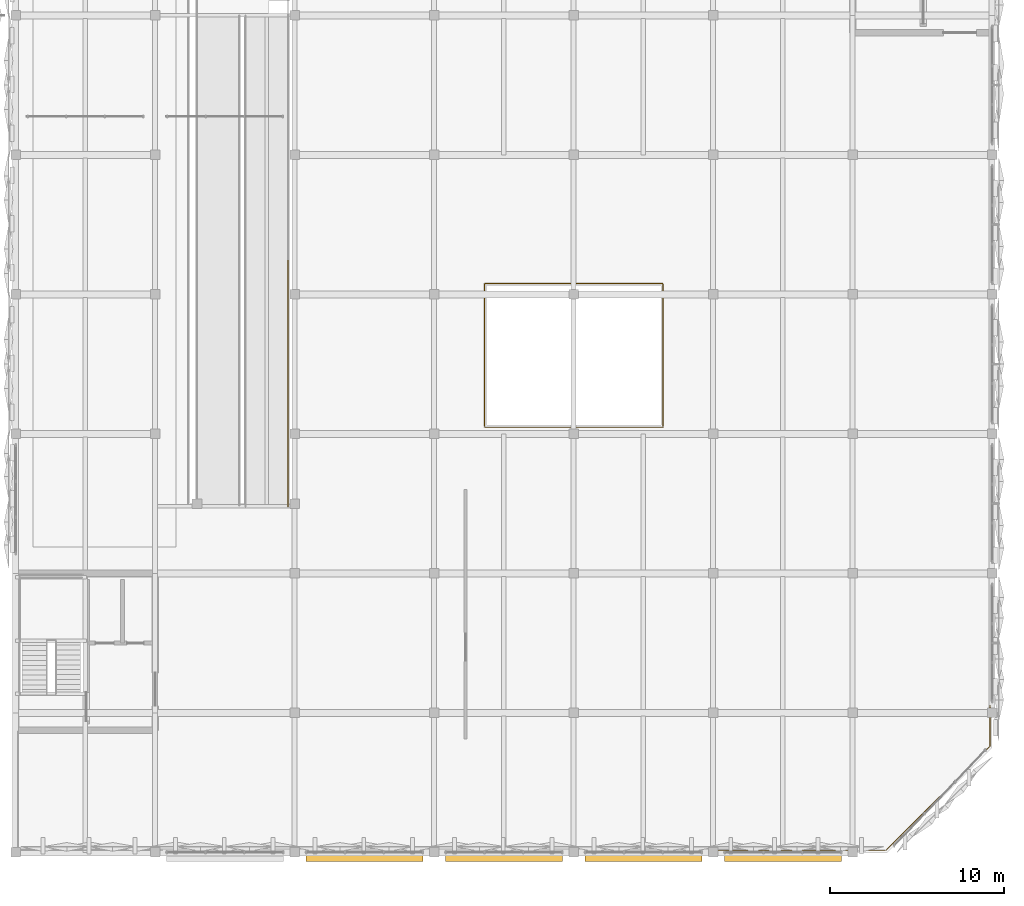
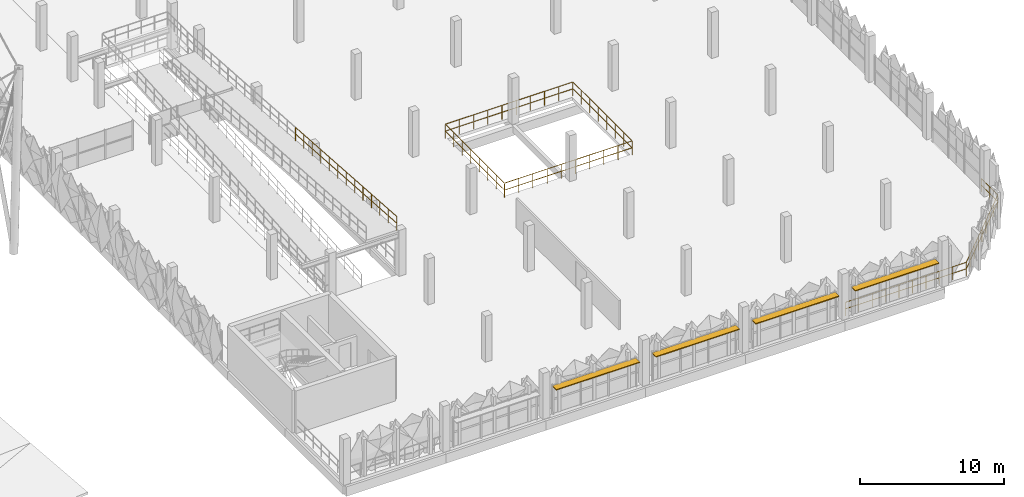
# One storey, part 89 of 96: 4 shading devices, 3 railings.
"""IFC4 building model written with IfcOpenShell, lengths in metres."""

from ifc_helpers import new_model, si_unit, derived_unit, direction, frame, origin, origin_2d, place, context, subcontext, project, spatial, rectangle, circle, extrude, material, material_profile, profile_set, type_object, element, save


model = new_model("IFC4")

# Units and contexts
model_context = context("Model", 3, precision=1e-05, world=origin(), true_north=direction((0.0, 1.0)))
body_context = subcontext(model_context, "Body", "Model", "MODEL_VIEW")
ifc_project = project(units=[si_unit("LENGTHUNIT", "METRE"), si_unit("AREAUNIT", "SQUARE_METRE"), si_unit("VOLUMEUNIT", "CUBIC_METRE"), si_unit("PLANEANGLEUNIT", "RADIAN"), si_unit("MASSUNIT", "GRAM", prefix="KILO"), si_unit("THERMODYNAMICTEMPERATUREUNIT", "KELVIN"), derived_unit("THERMALTRANSMITTANCEUNIT", [(si_unit("POWERUNIT", "WATT"), 1), (si_unit("AREAUNIT", "SQUARE_METRE"), -1), (si_unit("THERMODYNAMICTEMPERATUREUNIT", "KELVIN"), -1)])], contexts=[model_context])

# Site, building, storey
site_placement = place(None, origin())
site = spatial("IfcSite", under=ifc_project, at=site_placement, CompositionType="ELEMENT")
building_placement = place(site_placement, origin())
building = spatial("IfcBuilding", under=site, at=building_placement, Name="Haiyu Intermodal Mobility Hub", CompositionType="ELEMENT")
storey_placement = place(building_placement, frame((0.0, 0.0, 9.5)))
storey = spatial("IfcBuildingStorey", under=building, at=storey_placement, Name="L02", CompositionType="ELEMENT", Elevation=9.5)

# Railings
ifc_material_1 = material(Name="Steel Q355C", Category="steel")
railing_type_1 = type_object("IfcRailingType", Name="RAL-GR02", PredefinedType="GUARDRAIL", material=ifc_material_1)
railing_1_placement = place(storey_placement, frame((180.8798828125, 40.3798828125, 0.0)))
element("IfcRailing", 1, at=railing_1_placement, inside=storey, type_object=railing_type_1, Name="RAL-V5ATR-L02", PredefinedType="GUARDRAIL", context=body_context, shape_type="SweptSolid", body=[
    extrude(circle(Radius=0.02392578125, at=origin_2d()), frame((0.030029296875, 0.0, 1.19580078125), z_axis=(1.0, 0.0, 0.0), x_axis=(0.0, 1.0, 0.0)), (0.0, 0.0, 1.0), 10.18017578125),
    extrude(circle(Radius=0.02392578125, at=origin_2d()), frame((0.037353515625, 0.0, 0.60986328125), z_axis=(1.0, 0.0, 0.0), x_axis=(0.0, 1.0, 0.0)), (0.0, 0.0, 1.0), 1.063232421875),
    extrude(circle(Radius=0.02392578125, at=origin_2d()), frame((1.175048828125, 0.0, 0.60986328125), z_axis=(1.0, 0.0, 0.0), x_axis=(0.0, 1.0, 0.0)), (0.0, 0.0, 1.0), 1.063232421875),
    extrude(circle(Radius=0.02392578125, at=origin_2d()), frame((2.31298828125, 0.0, 0.60986328125), z_axis=(1.0, 0.0, 0.0), x_axis=(0.0, 1.0, 0.0)), (0.0, 0.0, 1.0), 1.063232421875),
    extrude(circle(Radius=0.02392578125, at=origin_2d()), frame((3.45068359375, 0.0, 0.60986328125), z_axis=(1.0, 0.0, 0.0), x_axis=(0.0, 1.0, 0.0)), (0.0, 0.0, 1.0), 1.063232421875),
    extrude(circle(Radius=0.02392578125, at=origin_2d()), frame((4.588623046875, 0.0, 0.60986328125), z_axis=(1.0, 0.0, 0.0), x_axis=(0.0, 1.0, 0.0)), (0.0, 0.0, 1.0), 1.063232421875),
    extrude(circle(Radius=0.02392578125, at=origin_2d()), frame((5.726318359375, 0.0, 0.60986328125), z_axis=(1.0, 0.0, 0.0), x_axis=(0.0, 1.0, 0.0)), (0.0, 0.0, 1.0), 1.063232421875),
    extrude(circle(Radius=0.02392578125, at=origin_2d()), frame((6.864013671875, 0.0, 0.60986328125), z_axis=(1.0, 0.0, 0.0), x_axis=(0.0, 1.0, 0.0)), (0.0, 0.0, 1.0), 1.063232421875),
    extrude(circle(Radius=0.02392578125, at=origin_2d()), frame((8.001953125, 0.0, 0.60986328125), z_axis=(1.0, 0.0, 0.0), x_axis=(0.0, 1.0, 0.0)), (0.0, 0.0, 1.0), 1.063232421875),
    extrude(circle(Radius=0.02392578125, at=origin_2d()), frame((9.1396484375, 0.0, 0.60986328125), z_axis=(1.0, 0.0, 0.0), x_axis=(0.0, 1.0, 0.0)), (0.0, 0.0, 1.0), 1.063232421875),
    extrude(circle(Radius=0.02392578125, at=origin_2d()), frame((10.240234375, 0.030029296875, 1.19580078125), z_axis=(0.0, 1.0, 0.0), x_axis=(-1.0, 0.0, 0.0)), (0.0, 0.0, 1.0), 8.18017578125),
    extrude(circle(Radius=0.02392578125, at=origin_2d()), frame((10.240234375, 0.037353515625, 0.60986328125), z_axis=(0.0, 1.0, 0.0), x_axis=(-1.0, 0.0, 0.0)), (0.0, 0.0, 1.0), 1.1025390625),
    extrude(circle(Radius=0.02392578125, at=origin_2d()), frame((10.240234375, 1.21435546875, 0.60986328125), z_axis=(0.0, 1.0, 0.0), x_axis=(-1.0, 0.0, 0.0)), (0.0, 0.0, 1.0), 1.1025390625),
    extrude(circle(Radius=0.02392578125, at=origin_2d()), frame((10.240234375, 2.3916015625, 0.60986328125), z_axis=(0.0, 1.0, 0.0), x_axis=(-1.0, 0.0, 0.0)), (0.0, 0.0, 1.0), 1.1025390625),
    extrude(circle(Radius=0.02392578125, at=origin_2d()), frame((10.240234375, 3.56884765625, 0.60986328125), z_axis=(0.0, 1.0, 0.0), x_axis=(-1.0, 0.0, 0.0)), (0.0, 0.0, 1.0), 1.1025390625),
    extrude(circle(Radius=0.02392578125, at=origin_2d()), frame((10.240234375, 4.74609375, 0.60986328125), z_axis=(0.0, 1.0, 0.0), x_axis=(-1.0, 0.0, 0.0)), (0.0, 0.0, 1.0), 1.1025390625),
    extrude(circle(Radius=0.02392578125, at=origin_2d()), frame((10.240234375, 5.923095703125, 0.60986328125), z_axis=(0.0, 1.0, 0.0), x_axis=(-1.0, 0.0, 0.0)), (0.0, 0.0, 1.0), 1.1025390625),
    extrude(circle(Radius=0.02392578125, at=origin_2d()), frame((10.240234375, 7.100341796875, 0.60986328125), z_axis=(0.0, 1.0, 0.0), x_axis=(-1.0, 0.0, 0.0)), (0.0, 0.0, 1.0), 1.1025390625),
    extrude(circle(Radius=0.02392578125, at=origin_2d()), frame((10.210205078125, 8.240234375, 1.19580078125), z_axis=(-1.0, 0.0, 0.0), x_axis=(0.0, -1.0, 0.0)), (0.0, 0.0, 1.0), 10.18017578125),
    extrude(circle(Radius=0.02392578125, at=origin_2d()), frame((10.202880859375, 8.240234375, 0.60986328125), z_axis=(-1.0, 0.0, 0.0), x_axis=(0.0, -1.0, 0.0)), (0.0, 0.0, 1.0), 1.063232421875),
    extrude(circle(Radius=0.02392578125, at=origin_2d()), frame((9.065185546875, 8.240234375, 0.60986328125), z_axis=(-1.0, 0.0, 0.0), x_axis=(0.0, -1.0, 0.0)), (0.0, 0.0, 1.0), 1.063232421875),
    extrude(circle(Radius=0.02392578125, at=origin_2d()), frame((7.92724609375, 8.240234375, 0.60986328125), z_axis=(-1.0, 0.0, 0.0), x_axis=(0.0, -1.0, 0.0)), (0.0, 0.0, 1.0), 1.063232421875),
    extrude(circle(Radius=0.02392578125, at=origin_2d()), frame((6.78955078125, 8.240234375, 0.60986328125), z_axis=(-1.0, 0.0, 0.0), x_axis=(0.0, -1.0, 0.0)), (0.0, 0.0, 1.0), 1.063232421875),
    extrude(circle(Radius=0.02392578125, at=origin_2d()), frame((5.651611328125, 8.240234375, 0.60986328125), z_axis=(-1.0, 0.0, 0.0), x_axis=(0.0, -1.0, 0.0)), (0.0, 0.0, 1.0), 1.063232421875),
    extrude(circle(Radius=0.02392578125, at=origin_2d()), frame((4.513916015625, 8.240234375, 0.60986328125), z_axis=(-1.0, 0.0, 0.0), x_axis=(0.0, -1.0, 0.0)), (0.0, 0.0, 1.0), 1.063232421875),
    extrude(circle(Radius=0.02392578125, at=origin_2d()), frame((3.376220703125, 8.240234375, 0.60986328125), z_axis=(-1.0, 0.0, 0.0), x_axis=(0.0, -1.0, 0.0)), (0.0, 0.0, 1.0), 1.063232421875),
    extrude(circle(Radius=0.02392578125, at=origin_2d()), frame((2.23828125, 8.240234375, 0.60986328125), z_axis=(-1.0, 0.0, 0.0), x_axis=(0.0, -1.0, 0.0)), (0.0, 0.0, 1.0), 1.063232421875),
    extrude(circle(Radius=0.02392578125, at=origin_2d()), frame((1.1005859375, 8.240234375, 0.60986328125), z_axis=(-1.0, 0.0, 0.0), x_axis=(0.0, -1.0, 0.0)), (0.0, 0.0, 1.0), 1.063232421875),
    extrude(circle(Radius=0.02392578125, at=origin_2d()), frame((0.0, 8.210205078125, 1.19580078125), z_axis=(0.0, -1.0, 0.0), x_axis=(1.0, 0.0, 0.0)), (0.0, 0.0, 1.0), 8.18017578125),
    extrude(circle(Radius=0.02392578125, at=origin_2d()), frame((0.0, 8.202880859375, 0.60986328125), z_axis=(0.0, -1.0, 0.0), x_axis=(1.0, 0.0, 0.0)), (0.0, 0.0, 1.0), 1.1025390625),
    extrude(circle(Radius=0.02392578125, at=origin_2d()), frame((0.0, 7.02587890625, 0.60986328125), z_axis=(0.0, -1.0, 0.0), x_axis=(1.0, 0.0, 0.0)), (0.0, 0.0, 1.0), 1.1025390625),
    extrude(circle(Radius=0.02392578125, at=origin_2d()), frame((0.0, 5.8486328125, 0.60986328125), z_axis=(0.0, -1.0, 0.0), x_axis=(1.0, 0.0, 0.0)), (0.0, 0.0, 1.0), 1.1025390625),
    extrude(circle(Radius=0.02392578125, at=origin_2d()), frame((0.0, 4.67138671875, 0.60986328125), z_axis=(0.0, -1.0, 0.0), x_axis=(1.0, 0.0, 0.0)), (0.0, 0.0, 1.0), 1.1025390625),
    extrude(circle(Radius=0.02392578125, at=origin_2d()), frame((0.0, 3.494140625, 0.60986328125), z_axis=(0.0, -1.0, 0.0), x_axis=(1.0, 0.0, 0.0)), (0.0, 0.0, 1.0), 1.1025390625),
    extrude(circle(Radius=0.02392578125, at=origin_2d()), frame((0.0, 2.317138671875, 0.60986328125), z_axis=(0.0, -1.0, 0.0), x_axis=(1.0, 0.0, 0.0)), (0.0, 0.0, 1.0), 1.1025390625),
    extrude(circle(Radius=0.02392578125, at=origin_2d()), frame((0.0, 1.139892578125, 0.60986328125), z_axis=(0.0, -1.0, 0.0), x_axis=(1.0, 0.0, 0.0)), (0.0, 0.0, 1.0), 1.1025390625),
    extrude(circle(Radius=0.02099609375, at=origin_2d()), origin(), (0.0, 0.0, 1.0), 1.163818359375),
    extrude(circle(Radius=0.02099609375, at=origin_2d()), frame((1.1376953125, 0.0, 0.0)), (0.0, 0.0, 1.0), 1.163818359375),
    extrude(circle(Radius=0.02099609375, at=origin_2d()), frame((2.275634765625, 0.0, 0.0)), (0.0, 0.0, 1.0), 1.163818359375),
    extrude(circle(Radius=0.02099609375, at=origin_2d()), frame((3.413330078125, 0.0, 0.0)), (0.0, 0.0, 1.0), 1.163818359375),
    extrude(circle(Radius=0.02099609375, at=origin_2d()), frame((4.55126953125, 0.0, 0.0)), (0.0, 0.0, 1.0), 1.163818359375),
    extrude(circle(Radius=0.02099609375, at=origin_2d()), frame((5.68896484375, 0.0, 0.0)), (0.0, 0.0, 1.0), 1.163818359375),
    extrude(circle(Radius=0.02099609375, at=origin_2d()), frame((6.826904296875, 0.0, 0.0)), (0.0, 0.0, 1.0), 1.163818359375),
    extrude(circle(Radius=0.02099609375, at=origin_2d()), frame((7.964599609375, 0.0, 0.0)), (0.0, 0.0, 1.0), 1.163818359375),
    extrude(circle(Radius=0.02099609375, at=origin_2d()), frame((9.1025390625, 0.0, 0.0)), (0.0, 0.0, 1.0), 1.163818359375),
    extrude(circle(Radius=0.02099609375, at=origin_2d()), frame((10.240234375, 0.0, 0.0)), (0.0, 0.0, 1.0), 1.163818359375),
    extrude(circle(Radius=0.02099609375, at=origin_2d()), frame((10.240234375, 1.17724609375, 0.0)), (0.0, 0.0, 1.0), 1.163818359375),
    extrude(circle(Radius=0.02099609375, at=origin_2d()), frame((10.240234375, 2.354248046875, 0.0)), (0.0, 0.0, 1.0), 1.163818359375),
    extrude(circle(Radius=0.02099609375, at=origin_2d()), frame((10.240234375, 3.531494140625, 0.0)), (0.0, 0.0, 1.0), 1.163818359375),
    extrude(circle(Radius=0.02099609375, at=origin_2d()), frame((10.240234375, 4.708740234375, 0.0)), (0.0, 0.0, 1.0), 1.163818359375),
    extrude(circle(Radius=0.02099609375, at=origin_2d()), frame((10.240234375, 5.885986328125, 0.0)), (0.0, 0.0, 1.0), 1.163818359375),
    extrude(circle(Radius=0.02099609375, at=origin_2d()), frame((10.240234375, 7.06298828125, 0.0)), (0.0, 0.0, 1.0), 1.163818359375),
    extrude(circle(Radius=0.02099609375, at=origin_2d()), frame((10.240234375, 8.240234375, 0.0)), (0.0, 0.0, 1.0), 1.163818359375),
    extrude(circle(Radius=0.02099609375, at=origin_2d()), frame((9.1025390625, 8.240234375, 0.0)), (0.0, 0.0, 1.0), 1.163818359375),
    extrude(circle(Radius=0.02099609375, at=origin_2d()), frame((7.964599609375, 8.240234375, 0.0)), (0.0, 0.0, 1.0), 1.163818359375),
    extrude(circle(Radius=0.02099609375, at=origin_2d()), frame((6.826904296875, 8.240234375, 0.0)), (0.0, 0.0, 1.0), 1.163818359375),
    extrude(circle(Radius=0.02099609375, at=origin_2d()), frame((5.68896484375, 8.240234375, 0.0)), (0.0, 0.0, 1.0), 1.163818359375),
    extrude(circle(Radius=0.02099609375, at=origin_2d()), frame((4.55126953125, 8.240234375, 0.0)), (0.0, 0.0, 1.0), 1.163818359375),
    extrude(circle(Radius=0.02099609375, at=origin_2d()), frame((3.413330078125, 8.240234375, 0.0)), (0.0, 0.0, 1.0), 1.163818359375),
    extrude(circle(Radius=0.02099609375, at=origin_2d()), frame((2.275634765625, 8.240234375, 0.0)), (0.0, 0.0, 1.0), 1.163818359375),
    extrude(circle(Radius=0.02099609375, at=origin_2d()), frame((1.1376953125, 8.240234375, 0.0)), (0.0, 0.0, 1.0), 1.163818359375),
    extrude(circle(Radius=0.02099609375, at=origin_2d()), frame((0.0, 8.240234375, 0.0)), (0.0, 0.0, 1.0), 1.163818359375),
    extrude(circle(Radius=0.02099609375, at=origin_2d()), frame((0.0, 7.06298828125, 0.0)), (0.0, 0.0, 1.0), 1.163818359375),
    extrude(circle(Radius=0.02099609375, at=origin_2d()), frame((0.0, 5.885986328125, 0.0)), (0.0, 0.0, 1.0), 1.163818359375),
    extrude(circle(Radius=0.02099609375, at=origin_2d()), frame((0.0, 4.708740234375, 0.0)), (0.0, 0.0, 1.0), 1.163818359375),
    extrude(circle(Radius=0.02099609375, at=origin_2d()), frame((0.0, 3.531494140625, 0.0)), (0.0, 0.0, 1.0), 1.163818359375),
    extrude(circle(Radius=0.02099609375, at=origin_2d()), frame((0.0, 2.354248046875, 0.0)), (0.0, 0.0, 1.0), 1.163818359375),
    extrude(circle(Radius=0.02099609375, at=origin_2d()), frame((0.0, 1.17724609375, 0.0)), (0.0, 0.0, 1.0), 1.163818359375),
])
railing_type_2 = type_object("IfcRailingType", Name="RAL-GR03", PredefinedType="GUARDRAIL", material=ifc_material_1)
railing_2_placement = place(storey_placement, frame((169.6201171875, 49.925048828125, 2.925048828125)))
element("IfcRailing", 2, at=railing_2_placement, inside=storey, type_object=railing_type_2, Name="RAL-RMP-BIKE-L02-F2EB", PredefinedType="GUARDRAIL", context=body_context, shape_type="SweptSolid", body=[
    extrude(circle(Radius=0.02392578125, at=origin_2d()), frame((0.0, -0.030029296875, 1.157958984375), z_axis=(0.0, -0.997610011439, 0.069096056888), x_axis=(1.0, 0.0, 0.0)), (0.0, 0.0, 1.0), 14.048583984375),
    extrude(circle(Radius=0.02392578125, at=origin_2d()), frame((0.0, -0.037109375, 0.592529296875), z_axis=(0.0, -0.997610011439, 0.069096056888), x_axis=(1.0, 0.0, 0.0)), (0.0, 0.0, 1.0), 1.10107421875),
    extrude(circle(Radius=0.02392578125, at=origin_2d()), frame((0.0, -1.210205078125, 0.673828125), z_axis=(0.0, -0.997610011439, 0.069096056888), x_axis=(1.0, 0.0, 0.0)), (0.0, 0.0, 1.0), 1.10107421875),
    extrude(circle(Radius=0.02392578125, at=origin_2d()), frame((0.0, -2.383056640625, 0.755126953125), z_axis=(0.0, -0.997610011439, 0.069096056888), x_axis=(1.0, 0.0, 0.0)), (0.0, 0.0, 1.0), 1.10107421875),
    extrude(circle(Radius=0.02392578125, at=origin_2d()), frame((0.0, -3.555908203125, 0.836181640625), z_axis=(0.0, -0.997610011439, 0.069096056888), x_axis=(1.0, 0.0, 0.0)), (0.0, 0.0, 1.0), 1.10107421875),
    extrude(circle(Radius=0.02392578125, at=origin_2d()), frame((0.0, -4.728759765625, 0.91748046875), z_axis=(0.0, -0.997610011439, 0.069096056888), x_axis=(1.0, 0.0, 0.0)), (0.0, 0.0, 1.0), 1.10107421875),
    extrude(circle(Radius=0.02392578125, at=origin_2d()), frame((0.0, -5.90185546875, 0.998779296875), z_axis=(0.0, -0.997610011439, 0.069096056888), x_axis=(1.0, 0.0, 0.0)), (0.0, 0.0, 1.0), 1.10107421875),
    extrude(circle(Radius=0.02392578125, at=origin_2d()), frame((0.0, -7.07470703125, 1.080078125), z_axis=(0.0, -0.997610011439, 0.069096056888), x_axis=(1.0, 0.0, 0.0)), (0.0, 0.0, 1.0), 1.10107421875),
    extrude(circle(Radius=0.02392578125, at=origin_2d()), frame((0.0, -8.24755859375, 1.1611328125), z_axis=(0.0, -0.997610011439, 0.069096056888), x_axis=(1.0, 0.0, 0.0)), (0.0, 0.0, 1.0), 1.10107421875),
    extrude(circle(Radius=0.02392578125, at=origin_2d()), frame((0.0, -9.42041015625, 1.242431640625), z_axis=(0.0, -0.997610011439, 0.069096056888), x_axis=(1.0, 0.0, 0.0)), (0.0, 0.0, 1.0), 1.10107421875),
    extrude(circle(Radius=0.02392578125, at=origin_2d()), frame((0.0, -10.593505859375, 1.32373046875), z_axis=(0.0, -0.997610011439, 0.069096056888), x_axis=(1.0, 0.0, 0.0)), (0.0, 0.0, 1.0), 1.10107421875),
    extrude(circle(Radius=0.02392578125, at=origin_2d()), frame((0.0, -11.766357421875, 1.405029296875), z_axis=(0.0, -0.997610011439, 0.069096056888), x_axis=(1.0, 0.0, 0.0)), (0.0, 0.0, 1.0), 1.10107421875),
    extrude(circle(Radius=0.02392578125, at=origin_2d()), frame((0.0, -12.939208984375, 1.486083984375), z_axis=(0.0, -0.997610011439, 0.069096056888), x_axis=(1.0, 0.0, 0.0)), (0.0, 0.0, 1.0), 1.10107421875),
    extrude(circle(Radius=0.02099609375, at=origin_2d()), origin(), (0.0, 0.0, 1.0), 1.123779296875),
    extrude(circle(Radius=0.02099609375, at=origin_2d()), frame((0.0, -1.1728515625, 0.081298828125)), (0.0, 0.0, 1.0), 1.123779296875),
    extrude(circle(Radius=0.02099609375, at=origin_2d()), frame((0.0, -2.345703125, 0.16259765625)), (0.0, 0.0, 1.0), 1.123779296875),
    extrude(circle(Radius=0.02099609375, at=origin_2d()), frame((0.0, -3.518798828125, 0.24365234375)), (0.0, 0.0, 1.0), 1.123779296875),
    extrude(circle(Radius=0.02099609375, at=origin_2d()), frame((0.0, -4.691650390625, 0.324951171875)), (0.0, 0.0, 1.0), 1.123779296875),
    extrude(circle(Radius=0.02099609375, at=origin_2d()), frame((0.0, -5.864501953125, 0.40625)), (0.0, 0.0, 1.0), 1.123779296875),
    extrude(circle(Radius=0.02099609375, at=origin_2d()), frame((0.0, -7.03759765625, 0.4873046875)), (0.0, 0.0, 1.0), 1.123779296875),
    extrude(circle(Radius=0.02099609375, at=origin_2d()), frame((0.0, -8.21044921875, 0.568603515625)), (0.0, 0.0, 1.0), 1.123779296875),
    extrude(circle(Radius=0.02099609375, at=origin_2d()), frame((0.0, -9.38330078125, 0.64990234375)), (0.0, 0.0, 1.0), 1.123779296875),
    extrude(circle(Radius=0.02099609375, at=origin_2d()), frame((0.0, -10.55615234375, 0.731201171875)), (0.0, 0.0, 1.0), 1.123779296875),
    extrude(circle(Radius=0.02099609375, at=origin_2d()), frame((0.0, -11.72900390625, 0.8125)), (0.0, 0.0, 1.0), 1.123779296875),
    extrude(circle(Radius=0.02099609375, at=origin_2d()), frame((0.0, -12.902099609375, 0.8935546875)), (0.0, 0.0, 1.0), 1.123779296875),
    extrude(circle(Radius=0.02099609375, at=origin_2d()), frame((0.0, -14.074951171875, 0.974853515625)), (0.0, 0.0, 1.0), 1.123779296875),
])
railing_3_placement = place(storey_placement, frame((194.199951171875, 16.1201171875, 0.0)))
element("IfcRailing", 3, at=railing_3_placement, inside=storey, type_object=railing_type_2, Name="RAL-V5CH-L02", PredefinedType="GUARDRAIL", context=body_context, shape_type="SweptSolid", body=[
    extrude(circle(Radius=0.02392578125, at=origin_2d()), frame((0.030029296875, 0.0, 1.1259765625), z_axis=(1.0, 0.0, 0.0), x_axis=(0.0, 1.0, 0.0)), (0.0, 0.0, 1.0), 9.659912109375),
    extrude(circle(Radius=0.02392578125, at=origin_2d()), frame((0.037353515625, 0.0, 0.574951171875), z_axis=(1.0, 0.0, 0.0), x_axis=(0.0, 1.0, 0.0)), (0.0, 0.0, 1.0), 1.00537109375),
    extrude(circle(Radius=0.02392578125, at=origin_2d()), frame((1.1171875, 0.0, 0.574951171875), z_axis=(1.0, 0.0, 0.0), x_axis=(0.0, 1.0, 0.0)), (0.0, 0.0, 1.0), 1.00537109375),
    extrude(circle(Radius=0.02392578125, at=origin_2d()), frame((2.197265625, 0.0, 0.574951171875), z_axis=(1.0, 0.0, 0.0), x_axis=(0.0, 1.0, 0.0)), (0.0, 0.0, 1.0), 1.00537109375),
    extrude(circle(Radius=0.02392578125, at=origin_2d()), frame((3.27734375, 0.0, 0.574951171875), z_axis=(1.0, 0.0, 0.0), x_axis=(0.0, 1.0, 0.0)), (0.0, 0.0, 1.0), 1.00537109375),
    extrude(circle(Radius=0.02392578125, at=origin_2d()), frame((4.357177734375, 0.0, 0.574951171875), z_axis=(1.0, 0.0, 0.0), x_axis=(0.0, 1.0, 0.0)), (0.0, 0.0, 1.0), 1.00537109375),
    extrude(circle(Radius=0.02392578125, at=origin_2d()), frame((5.437255859375, 0.0, 0.574951171875), z_axis=(1.0, 0.0, 0.0), x_axis=(0.0, 1.0, 0.0)), (0.0, 0.0, 1.0), 1.00537109375),
    extrude(circle(Radius=0.02392578125, at=origin_2d()), frame((6.517333984375, 0.0, 0.574951171875), z_axis=(1.0, 0.0, 0.0), x_axis=(0.0, 1.0, 0.0)), (0.0, 0.0, 1.0), 1.00537109375),
    extrude(circle(Radius=0.02392578125, at=origin_2d()), frame((7.59716796875, 0.0, 0.574951171875), z_axis=(1.0, 0.0, 0.0), x_axis=(0.0, 1.0, 0.0)), (0.0, 0.0, 1.0), 1.00537109375),
    extrude(circle(Radius=0.02392578125, at=origin_2d()), frame((8.67724609375, 0.0, 0.574951171875), z_axis=(1.0, 0.0, 0.0), x_axis=(0.0, 1.0, 0.0)), (0.0, 0.0, 1.0), 1.00537109375),
    extrude(circle(Radius=0.02392578125, at=origin_2d()), frame((9.7412109375, 0.021240234375, 1.1259765625), z_axis=(0.707106781187, 0.707106781187, 0.0), x_axis=(-0.707106781187, 0.707106781187, 0.0)), (0.0, 0.0, 1.0), 8.36865234375),
    extrude(circle(Radius=0.02392578125, at=origin_2d()), frame((9.746337890625, 0.0263671875, 0.574951171875), z_axis=(0.707106781187, 0.707106781187, 0.0), x_axis=(-0.707106781187, 0.707106781187, 0.0)), (0.0, 0.0, 1.0), 0.97900390625),
    extrude(circle(Radius=0.02392578125, at=origin_2d()), frame((10.491455078125, 0.771484375, 0.574951171875), z_axis=(0.707106781187, 0.707106781187, 0.0), x_axis=(-0.707106781187, 0.707106781187, 0.0)), (0.0, 0.0, 1.0), 0.97900390625),
    extrude(circle(Radius=0.02392578125, at=origin_2d()), frame((11.236328125, 1.516357421875, 0.574951171875), z_axis=(0.707106781187, 0.707106781187, 0.0), x_axis=(-0.707106781187, 0.707106781187, 0.0)), (0.0, 0.0, 1.0), 0.97900390625),
    extrude(circle(Radius=0.02392578125, at=origin_2d()), frame((11.9814453125, 2.261474609375, 0.574951171875), z_axis=(0.707106781187, 0.707106781187, 0.0), x_axis=(-0.707106781187, 0.707106781187, 0.0)), (0.0, 0.0, 1.0), 0.97900390625),
    extrude(circle(Radius=0.02392578125, at=origin_2d()), frame((12.726318359375, 3.00634765625, 0.574951171875), z_axis=(0.707106781187, 0.707106781187, 0.0), x_axis=(-0.707106781187, 0.707106781187, 0.0)), (0.0, 0.0, 1.0), 0.97900390625),
    extrude(circle(Radius=0.02392578125, at=origin_2d()), frame((13.471435546875, 3.75146484375, 0.574951171875), z_axis=(0.707106781187, 0.707106781187, 0.0), x_axis=(-0.707106781187, 0.707106781187, 0.0)), (0.0, 0.0, 1.0), 0.97900390625),
    extrude(circle(Radius=0.02392578125, at=origin_2d()), frame((14.21630859375, 4.496337890625, 0.574951171875), z_axis=(0.707106781187, 0.707106781187, 0.0), x_axis=(-0.707106781187, 0.707106781187, 0.0)), (0.0, 0.0, 1.0), 0.97900390625),
    extrude(circle(Radius=0.02392578125, at=origin_2d()), frame((14.96142578125, 5.241455078125, 0.574951171875), z_axis=(0.707106781187, 0.707106781187, 0.0), x_axis=(-0.707106781187, 0.707106781187, 0.0)), (0.0, 0.0, 1.0), 0.97900390625),
    extrude(circle(Radius=0.02392578125, at=origin_2d()), frame((15.679931640625, 5.989990234375, 1.1259765625), z_axis=(0.0, 1.0, 0.0), x_axis=(-1.0, 0.0, 0.0)), (0.0, 0.0, 1.0), 2.259765625),
    extrude(circle(Radius=0.02392578125, at=origin_2d()), frame((15.679931640625, 5.997314453125, 0.574951171875), z_axis=(0.0, 1.0, 0.0), x_axis=(-1.0, 0.0, 0.0)), (0.0, 0.0, 1.0), 1.085205078125),
    extrude(circle(Radius=0.02392578125, at=origin_2d()), frame((15.679931640625, 7.1572265625, 0.574951171875), z_axis=(0.0, 1.0, 0.0), x_axis=(-1.0, 0.0, 0.0)), (0.0, 0.0, 1.0), 1.085205078125),
    extrude(circle(Radius=0.02099609375, at=origin_2d()), origin(), (0.0, 0.0, 1.0), 1.09375),
    extrude(circle(Radius=0.02099609375, at=origin_2d()), frame((1.080078125, 0.0, 0.0)), (0.0, 0.0, 1.0), 1.09375),
    extrude(circle(Radius=0.02099609375, at=origin_2d()), frame((2.159912109375, 0.0, 0.0)), (0.0, 0.0, 1.0), 1.09375),
    extrude(circle(Radius=0.02099609375, at=origin_2d()), frame((3.239990234375, 0.0, 0.0)), (0.0, 0.0, 1.0), 1.09375),
    extrude(circle(Radius=0.02099609375, at=origin_2d()), frame((4.320068359375, 0.0, 0.0)), (0.0, 0.0, 1.0), 1.09375),
    extrude(circle(Radius=0.02099609375, at=origin_2d()), frame((5.39990234375, 0.0, 0.0)), (0.0, 0.0, 1.0), 1.09375),
    extrude(circle(Radius=0.02099609375, at=origin_2d()), frame((6.47998046875, 0.0, 0.0)), (0.0, 0.0, 1.0), 1.09375),
    extrude(circle(Radius=0.02099609375, at=origin_2d()), frame((7.56005859375, 0.0, 0.0)), (0.0, 0.0, 1.0), 1.09375),
    extrude(circle(Radius=0.02099609375, at=origin_2d()), frame((8.639892578125, 0.0, 0.0)), (0.0, 0.0, 1.0), 1.09375),
    extrude(circle(Radius=0.02099609375, at=origin_2d()), frame((9.719970703125, 0.0, 0.0)), (0.0, 0.0, 1.0), 1.09375),
    extrude(circle(Radius=0.02099609375, at=origin_2d()), frame((10.46484375, 0.7451171875, 0.0)), (0.0, 0.0, 1.0), 1.09375),
    extrude(circle(Radius=0.02099609375, at=origin_2d()), frame((11.2099609375, 1.489990234375, 0.0)), (0.0, 0.0, 1.0), 1.09375),
    extrude(circle(Radius=0.02099609375, at=origin_2d()), frame((11.955078125, 2.23486328125, 0.0)), (0.0, 0.0, 1.0), 1.09375),
    extrude(circle(Radius=0.02099609375, at=origin_2d()), frame((12.699951171875, 2.97998046875, 0.0)), (0.0, 0.0, 1.0), 1.09375),
    extrude(circle(Radius=0.02099609375, at=origin_2d()), frame((13.44482421875, 3.72509765625, 0.0)), (0.0, 0.0, 1.0), 1.09375),
    extrude(circle(Radius=0.02099609375, at=origin_2d()), frame((14.18994140625, 4.469970703125, 0.0)), (0.0, 0.0, 1.0), 1.09375),
    extrude(circle(Radius=0.02099609375, at=origin_2d()), frame((14.93505859375, 5.21484375, 0.0)), (0.0, 0.0, 1.0), 1.09375),
    extrude(circle(Radius=0.02099609375, at=origin_2d()), frame((15.679931640625, 5.9599609375, 0.0)), (0.0, 0.0, 1.0), 1.09375),
    extrude(circle(Radius=0.02099609375, at=origin_2d()), frame((15.679931640625, 7.119873046875, 0.0)), (0.0, 0.0, 1.0), 1.09375),
    extrude(circle(Radius=0.02099609375, at=origin_2d()), frame((15.679931640625, 8.27978515625, 0.0)), (0.0, 0.0, 1.0), 1.09375),
])

# Shading devices
ifc_material_2 = material(Name="Anodised aluminium 6063-T6", Category="aluminium")
ifc_material_profile = material_profile(ifc_material_2, rectangle(XDim=0.080078125, YDim=0.449951171875, at=origin_2d()), Name="FIN80x450")
ifc_profile_set = profile_set([ifc_material_profile], Name="Anodised aluminium 6063-T6")
shading_device_type = type_object("IfcShadingDeviceType", Name="SHD-SD01", PredefinedType="JALOUSIE", material=ifc_profile_set)
for number, where, z_axis, x_axis, name in (
    (4, (174.0, 15.75, 2.29248046875), (0.0, 0.0, 1.0), (1.0, 0.0, 0.0), "SHD-V5S-034"),
    (5, (182.0, 15.75, 2.29248046875), (0.0, 0.0, 1.0), (1.0, 0.0, 0.0), "SHD-V5S-035"),
    (6, (190.0, 15.75, 2.29248046875), (0.0, 0.0, 1.0), (1.0, 0.0, 0.0), "SHD-V5S-036"),
    (7, (198.0, 15.75, 2.29248046875), (0.0, 0.0, 1.0), (1.0, 0.0, 0.0), "SHD-V5S-037"),
):
    element("IfcShadingDevice", number, at=place(storey_placement, frame(where, z_axis=z_axis, x_axis=x_axis)), inside=storey, type_object=shading_device_type, Name=name, PredefinedType="JALOUSIE", context=body_context, shape_type="SweptSolid", body=[
        extrude(rectangle(XDim=6.699951171875, YDim=0.550048828125, at=origin_2d()), origin(), (0.0, 0.0, 1.0), 0.074951171875),
    ])

save(model, "model.ifc")
